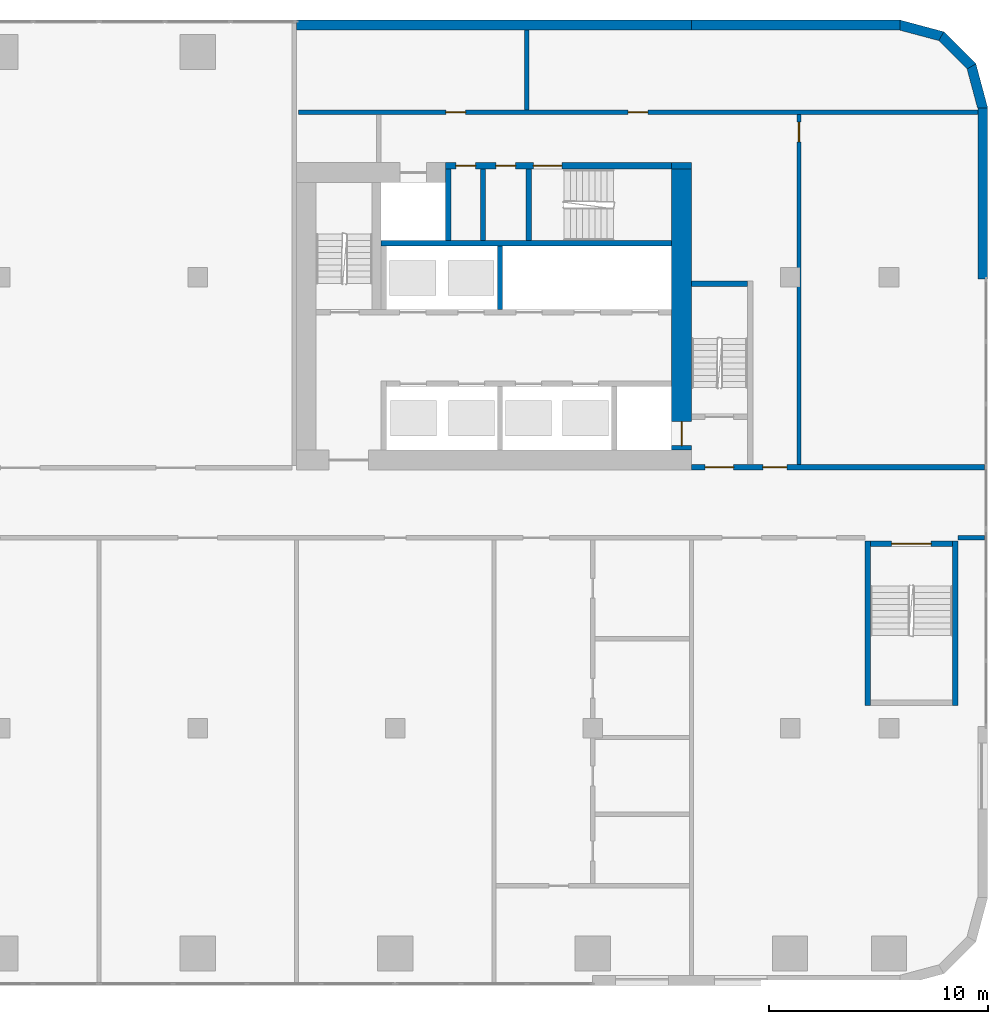
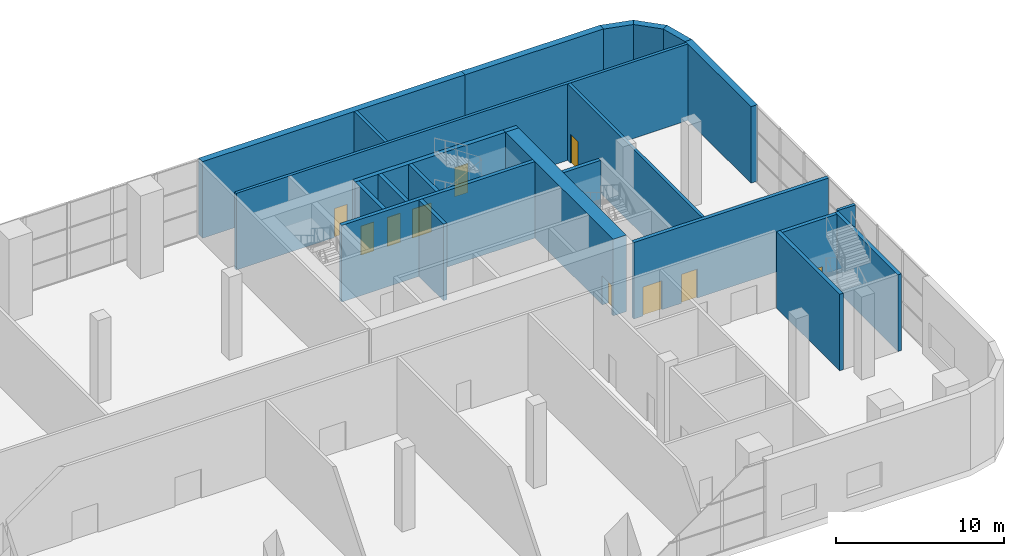
# One storey, part 16 of 27: 23 walls, 10 doors, 10 openings.
"""IFC4 building model written with IfcOpenShell, lengths in metres."""

from ifc_helpers import new_model, si_unit, direction, frame, frame_2d, origin, place, context, subcontext, project, spatial, polyline, rectangle, outline, extrude, material, layer, layer_set, type_object, element, fill, save


model = new_model("IFC4")

# Units and contexts
model_context = context("Model", 3, precision=1e-05, world=origin(), true_north=direction((0.0, 1.0)))
body_context = subcontext(model_context, "Body", "Model", "MODEL_VIEW")
ifc_project = project(units=[si_unit("LENGTHUNIT", "METRE"), si_unit("AREAUNIT", "SQUARE_METRE"), si_unit("VOLUMEUNIT", "CUBIC_METRE"), si_unit("PLANEANGLEUNIT", "RADIAN"), si_unit("MASSUNIT", "GRAM", prefix="KILO")], contexts=[model_context])

# Site, building, storey
site_placement = place(None, origin())
site = spatial("IfcSite", under=ifc_project, at=site_placement, CompositionType="ELEMENT")
building_placement = place(site_placement, origin())
building = spatial("IfcBuilding", under=site, at=building_placement, Name="Kajstack Hotel Tower", CompositionType="ELEMENT")
storey_placement = place(building_placement, frame((0.0, 0.0, 11.0)))
storey = spatial("IfcBuildingStorey", under=building, at=storey_placement, Name="L01", CompositionType="ELEMENT", Elevation=11.0)

# Wall
ifc_material_1 = material(Name="Concrete C60/75", Category="concrete")
ifc_layer_1 = layer(ifc_material_1, 0.89990234375)
ifc_layer_set_1 = layer_set([ifc_layer_1], Name="Core wall 900")
wall_type_1 = type_object("IfcWallType", Name="Core wall 900", PredefinedType="SHEAR", material=ifc_layer_set_1)
wall_1_placement = place(storey_placement, frame((30.60009765625, 15.35009765625, 0.0), z_axis=(0.0, 0.0, 1.0), x_axis=(1.0, 0.0, 0.0)))
element("IfcWall", 1, at=wall_1_placement, inside=storey, type_object=wall_type_1, Name="Core wall E RSW", PredefinedType="SHEAR", context=body_context, shape_type="SweptSolid", body=[
    extrude(rectangle(XDim=0.89990234375, YDim=0.300048828125, at=frame_2d((0.449951171875, 0.0))), origin(), (0.0, 0.0, 1.0), 5.550048828125),
])

# Wall, opening, door
wall_2_placement = place(storey_placement, frame((31.050048828125, 2.39990234375, 0.0), z_axis=(0.0, 0.0, 1.0), x_axis=(0.0, 1.0, 0.0)))
wall_2 = element("IfcWall", 2, at=wall_2_placement, inside=storey, type_object=wall_type_1, Name="Core wall E RW", PredefinedType="SHEAR", context=body_context, shape_type="SweptSolid", body=[
    extrude(rectangle(XDim=12.800048828125, YDim=0.89990234375, at=frame_2d((6.39990234375, 0.0))), origin(), (0.0, 0.0, 1.0), 5.550048828125),
])
opening_1_placement = place(wall_2_placement, frame((0.199951171875, 0.0, 0.0)))
opening_1 = element("IfcOpeningElement", 3, at=opening_1_placement, cuts=wall_2, Name="Opening LD-FF2", PredefinedType="OPENING", context=body_context, shape_type="SweptSolid", body=[
    extrude(rectangle(XDim=1.10009765625, YDim=2.10009765625, at=frame_2d((0.550048828125, 1.050048828125))), frame((0.0, 0.4599609375, 0.0), z_axis=(0.0, -1.0, 0.0), x_axis=(1.0, 0.0, 0.0)), (0.0, 0.0, 1.0), 0.919921875),
])
ifc_material_2 = material(Name="Stainless steel", Category="steel")
door_type_1 = type_object("IfcDoorType", Name="Fire-fighting lift landing door 1100", OperationType="SLIDING_TO_LEFT", PredefinedType="DOOR", material=ifc_material_2)
door_1_placement = place(opening_1_placement, origin())
door_1 = element("IfcDoor", 4, at=door_1_placement, inside=storey, type_object=door_type_1, Name="Landing door FF2", OperationType="SLIDING_TO_LEFT", OverallHeight=2.10009765625, OverallWidth=1.10009765625, PredefinedType="DOOR", context=body_context, shape_type="SweptSolid", body=[
    extrude(rectangle(XDim=1.10009765625, YDim=2.10009765625, at=frame_2d((0.550048828125, 1.050048828125))), frame((0.0, 0.02490234375, 0.0), z_axis=(0.0, -1.0, 0.0), x_axis=(1.0, 0.0, 0.0)), (0.0, 0.0, 1.0), 0.050048828125),
])
fill(opening_1, door_1)

# Walls
ifc_material_3 = material(Name="Concrete C40/50", Category="concrete")
ifc_layer_2 = layer(ifc_material_3, 0.449951171875)
ifc_layer_set_2 = layer_set([ifc_layer_2], Name="EW-CORE")
wall_type_2 = type_object("IfcWallType", Name="EW-CORE", PredefinedType="SOLIDWALL", material=ifc_layer_set_2)
wall_3_placement = place(storey_placement, frame((31.5, 21.77490234375, 0.0), z_axis=(0.0, 0.0, 1.0), x_axis=(-1.0, 0.0, 0.0)))
element("IfcWall", 5, at=wall_3_placement, inside=storey, type_object=wall_type_2, Name="E-wall-L01-11-01", PredefinedType="SOLIDWALL", context=body_context, shape_type="SweptSolid", body=[
    extrude(rectangle(XDim=18.0, YDim=0.449951171875, at=frame_2d((9.0, 0.0))), origin(), (0.0, 0.0, 1.0), 5.550048828125),
])
ifc_material_4 = material(Name="Terracotta-faced brick masonry", Category="masonry")
ifc_layer_3 = layer(ifc_material_4, 0.449951171875)
ifc_layer_set_3 = layer_set([ifc_layer_3], Name="EW-TERRA")
wall_type_3 = type_object("IfcWallType", Name="EW-TERRA", PredefinedType="SOLIDWALL", material=ifc_layer_set_3)
wall_4_placement = place(storey_placement, frame((44.77490234375, 10.199951171875, 0.0), z_axis=(0.0, 0.0, 1.0), x_axis=(0.0, 1.0, 0.0)))
element("IfcWall", 6, at=wall_4_placement, inside=storey, type_object=wall_type_3, Name="E-wall-L01-07-02", PredefinedType="SOLIDWALL", context=body_context, shape_type="SweptSolid", body=[
    extrude(rectangle(XDim=7.800048828125, YDim=0.449951171875, at=frame_2d((3.89990234375, 0.0))), origin(), (0.0, 0.0, 1.0), 5.550048828125),
])
wall_5_placement = place(storey_placement, frame((44.78271484375, 17.941650390625, 0.0), z_axis=(0.0, 0.0, 1.0), x_axis=(-0.25881466832, 0.965926999034, 0.0)))
element("IfcWall", 7, at=wall_5_placement, inside=storey, type_object=wall_type_3, Name="E-wall-L01-08-00", PredefinedType="SOLIDWALL", context=body_context, shape_type="SweptSolid", body=[
    extrude(outline(polyline([(0.000244140625, -0.22509765625), (2.070556640625, -0.224853515625), (1.9501953125, 0.22509765625), (0.12060546875, 0.22509765625), (0.000244140625, -0.22509765625)])), origin(), (0.0, 0.0, 1.0), 5.550048828125),
])
wall_6_placement = place(storey_placement, frame((44.304931640625, 19.8408203125, 0.0), z_axis=(0.0, 0.0, 1.0), x_axis=(-0.707106781187, 0.707106781187, 0.0)))
element("IfcWall", 8, at=wall_6_placement, inside=storey, type_object=wall_type_3, Name="E-wall-L01-09-00", PredefinedType="SOLIDWALL", context=body_context, shape_type="SweptSolid", body=[
    extrude(outline(polyline([(0.0, -0.22509765625), (2.070556640625, -0.22509765625), (1.949951171875, 0.224853515625), (0.12060546875, 0.224853515625), (0.0, -0.22509765625)])), origin(), (0.0, 0.0, 1.0), 5.550048828125),
])
wall_7_placement = place(storey_placement, frame((42.941650390625, 21.246826171875, 0.0), z_axis=(0.0, 0.0, 1.0), x_axis=(-0.965926999034, 0.25881466832, 0.0)))
element("IfcWall", 9, at=wall_7_placement, inside=storey, type_object=wall_type_3, Name="E-wall-L01-10-00", PredefinedType="SOLIDWALL", context=body_context, shape_type="SweptSolid", body=[
    extrude(outline(polyline([(-0.000244140625, -0.224853515625), (2.0703125, -0.22509765625), (1.949951171875, 0.22509765625), (0.120361328125, 0.22509765625), (-0.000244140625, -0.224853515625)])), origin(), (0.0, 0.0, 1.0), 5.550048828125),
])
wall_8_placement = place(storey_placement, frame((41.0, 21.77490234375, 0.0), z_axis=(0.0, 0.0, 1.0), x_axis=(-1.0, 0.0, 0.0)))
element("IfcWall", 10, at=wall_8_placement, inside=storey, type_object=wall_type_3, Name="E-wall-L01-11-00", PredefinedType="SOLIDWALL", context=body_context, shape_type="SweptSolid", body=[
    extrude(rectangle(XDim=9.5, YDim=0.449951171875, at=frame_2d((4.75, 0.0))), origin(), (0.0, 0.0, 1.0), 5.550048828125),
])
ifc_material_5 = material(Name="Concrete C50/60", Category="concrete")
ifc_layer_4 = layer(ifc_material_5, 0.300048828125)
ifc_layer_set_4 = layer_set([ifc_layer_4], Name="Hoistway divider wall 300")
wall_type_4 = type_object("IfcWallType", Name="Hoistway divider wall 300", PredefinedType="SHEAR", material=ifc_layer_set_4)
wall_9_placement = place(storey_placement, frame((22.77490234375, 8.800048828125, 0.0), z_axis=(0.0, 0.0, 1.0), x_axis=(0.0, 1.0, 0.0)))
element("IfcWall", 11, at=wall_9_placement, inside=storey, type_object=wall_type_4, Name="Core wall E BP2", PredefinedType="SHEAR", context=body_context, shape_type="SweptSolid", body=[
    extrude(rectangle(XDim=2.89990234375, YDim=0.25, at=frame_2d((1.449951171875, 0.0))), origin(), (0.0, 0.0, 1.0), 5.550048828125),
])
ifc_material_6 = material(Name="Gypsum board on steel studs, mineral wool", Category="steel")
ifc_layer_5 = layer(ifc_material_6, 0.199951171875)
ifc_layer_set_5 = layer_set([ifc_layer_5], Name="Public partition 200")
wall_type_5 = type_object("IfcWallType", Name="Public partition 200", PredefinedType="PARTITIONING", material=ifc_layer_set_5)
wall_10_placement = place(storey_placement, frame((43.64990234375, -1.60009765625, 0.0), z_axis=(0.0, 0.0, 1.0), x_axis=(1.0, 0.0, 0.0)))
element("IfcWall", 12, at=wall_10_placement, inside=storey, type_object=wall_type_5, Name="Partition SFWW", PredefinedType="PARTITIONING", context=body_context, shape_type="SweptSolid", body=[
    extrude(rectangle(XDim=1.2001953125, YDim=0.199951171875, at=frame_2d((0.60009765625, 0.0))), origin(), (0.0, 0.0, 1.0), 5.550048828125),
])
ifc_material_7 = material(Name="Concrete block masonry", Category="masonry")
ifc_layer_6 = layer(ifc_material_7, 0.25)
ifc_layer_set_6 = layer_set([ifc_layer_6], Name="Riser partition 250")
wall_type_6 = type_object("IfcWallType", Name="Riser partition 250", PredefinedType="PARTITIONING", material=ifc_layer_set_6)
wall_11_placement = place(storey_placement, frame((22.0, 11.949951171875, 0.0), z_axis=(0.0, 0.0, 1.0), x_axis=(0.0, 1.0, 0.0)))
element("IfcWall", 13, at=wall_11_placement, inside=storey, type_object=wall_type_6, Name="Partition E SZ0", PredefinedType="PARTITIONING", context=body_context, shape_type="SweptSolid", body=[
    extrude(rectangle(XDim=3.25, YDim=0.25, at=frame_2d((1.625, 0.0))), origin(), (0.0, 0.0, 1.0), 5.550048828125),
])

# Wall, openings, doors
ifc_layer_7 = layer(ifc_material_6, 0.199951171875)
ifc_layer_set_7 = layer_set([ifc_layer_7], Name="Service partition 200")
wall_type_7 = type_object("IfcWallType", Name="Service partition 200", PredefinedType="PARTITIONING", material=ifc_layer_set_7)
wall_12_placement = place(storey_placement, frame((31.5, 1.625, 0.0), z_axis=(0.0, 0.0, 1.0), x_axis=(1.0, 0.0, 0.0)))
wall_12 = element("IfcWall", 14, at=wall_12_placement, inside=storey, type_object=wall_type_7, Name="Partition E SN", PredefinedType="PARTITIONING", context=body_context, shape_type="SweptSolid", body=[
    extrude(rectangle(XDim=13.35009765625, YDim=0.25, at=frame_2d((6.675048828125, 0.0))), origin(), (0.0, 0.0, 1.0), 5.550048828125),
])
opening_2_placement = place(wall_12_placement, frame((0.625, 0.0, 0.0)))
opening_2 = element("IfcOpeningElement", 15, at=opening_2_placement, cuts=wall_12, Name="Opening 01E13", PredefinedType="OPENING", context=body_context, shape_type="SweptSolid", body=[
    extrude(rectangle(XDim=1.300048828125, YDim=2.10009765625, at=frame_2d((0.64990234375, 1.050048828125))), frame((0.0, 0.135009765625, 0.0), z_axis=(0.0, -1.0, 0.0), x_axis=(1.0, 0.0, 0.0)), (0.0, 0.0, 1.0), 0.27001953125),
])
opening_3_placement = place(wall_12_placement, frame((3.25, 0.0, 0.0)))
opening_3 = element("IfcOpeningElement", 16, at=opening_3_placement, cuts=wall_12, Name="Opening 01E15", PredefinedType="OPENING", context=body_context, shape_type="SweptSolid", body=[
    extrude(rectangle(XDim=1.10009765625, YDim=2.10009765625, at=frame_2d((0.550048828125, 1.050048828125))), frame((0.0, 0.135009765625, 0.0), z_axis=(0.0, -1.0, 0.0), x_axis=(1.0, 0.0, 0.0)), (0.0, 0.0, 1.0), 0.27001953125),
])
ifc_material_8 = material(Name="Steel leaf, fire-rated", Category="steel")
door_type_2 = type_object("IfcDoorType", Name="Fire lobby door 1300", OperationType="SINGLE_SWING_LEFT", PredefinedType="DOOR", material=ifc_material_8)
door_2_placement = place(opening_2_placement, origin())
door_2 = element("IfcDoor", 17, at=door_2_placement, inside=storey, type_object=door_type_2, Name="Door 01E13", OperationType="SINGLE_SWING_LEFT", OverallHeight=2.10009765625, OverallWidth=1.300048828125, PredefinedType="DOOR", context=body_context, shape_type="SweptSolid", body=[
    extrude(rectangle(XDim=1.300048828125, YDim=2.10009765625, at=frame_2d((0.64990234375, 1.050048828125))), frame((0.0, 0.02490234375, 0.0), z_axis=(0.0, -1.0, 0.0), x_axis=(1.0, 0.0, 0.0)), (0.0, 0.0, 1.0), 0.050048828125),
])
fill(opening_2, door_2)
ifc_material_9 = material(Name="Timber leaf, fire-rated", Category="wood")
door_type_3 = type_object("IfcDoorType", Name="Service corridor door 1100", OperationType="SINGLE_SWING_LEFT", PredefinedType="DOOR", material=ifc_material_9)
door_3_placement = place(opening_3_placement, origin())
door_3 = element("IfcDoor", 18, at=door_3_placement, inside=storey, type_object=door_type_3, Name="Door 01E15", OperationType="SINGLE_SWING_LEFT", OverallHeight=2.10009765625, OverallWidth=1.10009765625, PredefinedType="DOOR", context=body_context, shape_type="SweptSolid", body=[
    extrude(rectangle(XDim=1.10009765625, YDim=2.10009765625, at=frame_2d((0.550048828125, 1.050048828125))), frame((0.0, 0.02490234375, 0.0), z_axis=(0.0, -1.0, 0.0), x_axis=(1.0, 0.0, 0.0)), (0.0, 0.0, 1.0), 0.050048828125),
])
fill(opening_3, door_3)

# Wall, opening, door
wall_13_placement = place(storey_placement, frame((36.39990234375, 1.75, 0.0), z_axis=(0.0, 0.0, 1.0), x_axis=(0.0, 1.0, 0.0)))
wall_13 = element("IfcWall", 19, at=wall_13_placement, inside=storey, type_object=wall_type_7, Name="Partition E WRE", PredefinedType="PARTITIONING", context=body_context, shape_type="SweptSolid", body=[
    extrude(rectangle(XDim=15.949951171875, YDim=0.199951171875, at=frame_2d((7.97509765625, 0.0))), origin(), (0.0, 0.0, 1.0), 5.550048828125),
])
opening_4_placement = place(wall_13_placement, frame((14.699951171875, 0.0, 0.0)))
opening_4 = element("IfcOpeningElement", 20, at=opening_4_placement, cuts=wall_13, Name="Opening 01E22", PredefinedType="OPENING", context=body_context, shape_type="SweptSolid", body=[
    extrude(rectangle(XDim=0.89990234375, YDim=2.10009765625, at=frame_2d((0.449951171875, 1.050048828125))), frame((0.0, 0.10986328125, 0.0), z_axis=(0.0, -1.0, 0.0), x_axis=(1.0, 0.0, 0.0)), (0.0, 0.0, 1.0), 0.219970703125),
])
door_type_4 = type_object("IfcDoorType", Name="Service door 900", OperationType="SINGLE_SWING_LEFT", PredefinedType="DOOR", material=ifc_material_9)
door_4_placement = place(opening_4_placement, origin())
door_4 = element("IfcDoor", 21, at=door_4_placement, inside=storey, type_object=door_type_4, Name="Door 01E22", OperationType="SINGLE_SWING_RIGHT", OverallHeight=2.10009765625, OverallWidth=0.89990234375, PredefinedType="DOOR", context=body_context, shape_type="SweptSolid", body=[
    extrude(rectangle(XDim=0.89990234375, YDim=2.10009765625, at=frame_2d((0.449951171875, 1.050048828125))), frame((0.0, 0.02490234375, 0.0), z_axis=(0.0, -1.0, 0.0), x_axis=(1.0, 0.0, 0.0)), (0.0, 0.0, 1.0), 0.050048828125),
])
fill(opening_4, door_4)

# Wall, openings, doors
wall_14_placement = place(storey_placement, frame((13.60009765625, 17.800048828125, 0.0), z_axis=(0.0, 0.0, 1.0), x_axis=(1.0, 0.0, 0.0)))
wall_14 = element("IfcWall", 22, at=wall_14_placement, inside=storey, type_object=wall_type_7, Name="Partition E SLN", PredefinedType="PARTITIONING", context=body_context, shape_type="SweptSolid", body=[
    extrude(rectangle(XDim=30.949951171875, YDim=0.199951171875, at=frame_2d((15.47509765625, 0.0))), origin(), (0.0, 0.0, 1.0), 5.550048828125),
])
opening_5_placement = place(wall_14_placement, frame((15.012451171875, 0.0, 0.0)))
opening_5 = element("IfcOpeningElement", 23, at=opening_5_placement, cuts=wall_14, Name="Opening 01E20", PredefinedType="OPENING", context=body_context, shape_type="SweptSolid", body=[
    extrude(rectangle(XDim=0.89990234375, YDim=2.10009765625, at=frame_2d((0.449951171875, 1.050048828125))), frame((0.0, 0.10986328125, 0.0), z_axis=(0.0, -1.0, 0.0), x_axis=(1.0, 0.0, 0.0)), (0.0, 0.0, 1.0), 0.219970703125),
])
opening_6_placement = place(wall_14_placement, frame((6.71240234375, 0.0, 0.0)))
opening_6 = element("IfcOpeningElement", 24, at=opening_6_placement, cuts=wall_14, Name="Opening 01E21", PredefinedType="OPENING", context=body_context, shape_type="SweptSolid", body=[
    extrude(rectangle(XDim=0.89990234375, YDim=2.10009765625, at=frame_2d((0.449951171875, 1.050048828125))), frame((0.0, 0.10986328125, 0.0), z_axis=(0.0, -1.0, 0.0), x_axis=(1.0, 0.0, 0.0)), (0.0, 0.0, 1.0), 0.219970703125),
])
door_5_placement = place(opening_5_placement, origin())
door_5 = element("IfcDoor", 25, at=door_5_placement, inside=storey, type_object=door_type_4, Name="Door 01E20", OperationType="SINGLE_SWING_LEFT", OverallHeight=2.10009765625, OverallWidth=0.89990234375, PredefinedType="DOOR", context=body_context, shape_type="SweptSolid", body=[
    extrude(rectangle(XDim=0.89990234375, YDim=2.10009765625, at=frame_2d((0.449951171875, 1.050048828125))), frame((0.0, 0.02490234375, 0.0), z_axis=(0.0, -1.0, 0.0), x_axis=(1.0, 0.0, 0.0)), (0.0, 0.0, 1.0), 0.050048828125),
])
fill(opening_5, door_5)
door_6_placement = place(opening_6_placement, origin())
door_6 = element("IfcDoor", 26, at=door_6_placement, inside=storey, type_object=door_type_4, Name="Door 01E21", OperationType="SINGLE_SWING_LEFT", OverallHeight=2.10009765625, OverallWidth=0.89990234375, PredefinedType="DOOR", context=body_context, shape_type="SweptSolid", body=[
    extrude(rectangle(XDim=0.89990234375, YDim=2.10009765625, at=frame_2d((0.449951171875, 1.050048828125))), frame((0.0, 0.02490234375, 0.0), z_axis=(0.0, -1.0, 0.0), x_axis=(1.0, 0.0, 0.0)), (0.0, 0.0, 1.0), 0.050048828125),
])
fill(opening_6, door_6)

# Wall
wall_15_placement = place(storey_placement, frame((24.0, 17.89990234375, 0.0), z_axis=(0.0, 0.0, 1.0), x_axis=(0.0, 1.0, 0.0)))
element("IfcWall", 27, at=wall_15_placement, inside=storey, type_object=wall_type_7, Name="Partition E SLP0", PredefinedType="PARTITIONING", context=body_context, shape_type="SweptSolid", body=[
    extrude(rectangle(XDim=3.650146484375, YDim=0.199951171875, at=frame_2d((1.8251953125, 0.0))), origin(), (0.0, 0.0, 1.0), 5.550048828125),
])

# Wall, openings, doors
ifc_layer_8 = layer(ifc_material_5, 0.25)
ifc_layer_set_8 = layer_set([ifc_layer_8], Name="Shaft wall 250")
wall_type_8 = type_object("IfcWallType", Name="Shaft wall 250", PredefinedType="SHEAR", material=ifc_layer_set_8)
wall_16_placement = place(storey_placement, frame((20.300048828125, 15.35009765625, 0.0), z_axis=(0.0, 0.0, 1.0), x_axis=(1.0, 0.0, 0.0)))
wall_16 = element("IfcWall", 28, at=wall_16_placement, inside=storey, type_object=wall_type_8, Name="Core wall E RSS", PredefinedType="SHEAR", context=body_context, shape_type="SweptSolid", body=[
    extrude(rectangle(XDim=10.300048828125, YDim=0.300048828125, at=frame_2d((5.14990234375, 0.0))), origin(), (0.0, 0.0, 1.0), 5.550048828125),
])
opening_7_placement = place(wall_16_placement, frame((4.0, 0.0, 0.0)))
opening_7 = element("IfcOpeningElement", 29, at=opening_7_placement, cuts=wall_16, Name="Opening 01E17", PredefinedType="OPENING", context=body_context, shape_type="SweptSolid", body=[
    extrude(rectangle(XDim=1.300048828125, YDim=2.10009765625, at=frame_2d((0.64990234375, 1.050048828125))), frame((0.0, 0.159912109375, 0.0), z_axis=(0.0, -1.0, 0.0), x_axis=(1.0, 0.0, 0.0)), (0.0, 0.0, 1.0), 0.320068359375),
])
opening_8_placement = place(wall_16_placement, frame((2.28759765625, 0.0, 0.0)))
opening_8 = element("IfcOpeningElement", 30, at=opening_8_placement, cuts=wall_16, Name="Opening 01E18", PredefinedType="OPENING", context=body_context, shape_type="SweptSolid", body=[
    extrude(rectangle(XDim=0.89990234375, YDim=2.10009765625, at=frame_2d((0.449951171875, 1.050048828125))), frame((0.0, 0.159912109375, 0.0), z_axis=(0.0, -1.0, 0.0), x_axis=(1.0, 0.0, 0.0)), (0.0, 0.0, 1.0), 0.320068359375),
])
opening_9_placement = place(wall_16_placement, frame((0.46240234375, 0.0, 0.0)))
opening_9 = element("IfcOpeningElement", 31, at=opening_9_placement, cuts=wall_16, Name="Opening 01E19", PredefinedType="OPENING", context=body_context, shape_type="SweptSolid", body=[
    extrude(rectangle(XDim=0.89990234375, YDim=2.10009765625, at=frame_2d((0.449951171875, 1.050048828125))), frame((0.0, 0.159912109375, 0.0), z_axis=(0.0, -1.0, 0.0), x_axis=(1.0, 0.0, 0.0)), (0.0, 0.0, 1.0), 0.320068359375),
])
door_7_placement = place(opening_8_placement, origin())
door_7 = element("IfcDoor", 32, at=door_7_placement, inside=storey, type_object=door_type_4, Name="Door 01E18", OperationType="SINGLE_SWING_RIGHT", OverallHeight=2.10009765625, OverallWidth=0.89990234375, PredefinedType="DOOR", context=body_context, shape_type="SweptSolid", body=[
    extrude(rectangle(XDim=0.89990234375, YDim=2.10009765625, at=frame_2d((0.449951171875, 1.050048828125))), frame((0.0, 0.02490234375, 0.0), z_axis=(0.0, -1.0, 0.0), x_axis=(1.0, 0.0, 0.0)), (0.0, 0.0, 1.0), 0.050048828125),
])
fill(opening_8, door_7)
door_8_placement = place(opening_9_placement, origin())
door_8 = element("IfcDoor", 33, at=door_8_placement, inside=storey, type_object=door_type_4, Name="Door 01E19", OperationType="SINGLE_SWING_RIGHT", OverallHeight=2.10009765625, OverallWidth=0.89990234375, PredefinedType="DOOR", context=body_context, shape_type="SweptSolid", body=[
    extrude(rectangle(XDim=0.89990234375, YDim=2.10009765625, at=frame_2d((0.449951171875, 1.050048828125))), frame((0.0, 0.02490234375, 0.0), z_axis=(0.0, -1.0, 0.0), x_axis=(1.0, 0.0, 0.0)), (0.0, 0.0, 1.0), 0.050048828125),
])
fill(opening_9, door_8)
door_type_5 = type_object("IfcDoorType", Name="Stair door 1300", OperationType="SINGLE_SWING_LEFT", PredefinedType="DOOR", material=ifc_material_8)
door_9_placement = place(opening_7_placement, origin())
door_9 = element("IfcDoor", 34, at=door_9_placement, inside=storey, type_object=door_type_5, Name="Door 01E17", OperationType="SINGLE_SWING_LEFT", OverallHeight=2.10009765625, OverallWidth=1.300048828125, PredefinedType="DOOR", context=body_context, shape_type="SweptSolid", body=[
    extrude(rectangle(XDim=1.300048828125, YDim=2.10009765625, at=frame_2d((0.64990234375, 1.050048828125))), frame((0.0, 0.02490234375, 0.0), z_axis=(0.0, -1.0, 0.0), x_axis=(1.0, 0.0, 0.0)), (0.0, 0.0, 1.0), 0.050048828125),
])
fill(opening_7, door_9)

# Walls
wall_17_placement = place(storey_placement, frame((17.35009765625, 11.824951171875, 0.0), z_axis=(0.0, 0.0, 1.0), x_axis=(1.0, 0.0, 0.0)))
element("IfcWall", 35, at=wall_17_placement, inside=storey, type_object=wall_type_8, Name="Core wall E RB", PredefinedType="SHEAR", context=body_context, shape_type="SweptSolid", body=[
    extrude(rectangle(XDim=13.25, YDim=0.25, at=frame_2d((6.625, 0.0))), origin(), (0.0, 0.0, 1.0), 5.550048828125),
])
wall_18_placement = place(storey_placement, frame((20.425048828125, 11.949951171875, 0.0), z_axis=(0.0, 0.0, 1.0), x_axis=(0.0, 1.0, 0.0)))
element("IfcWall", 36, at=wall_18_placement, inside=storey, type_object=wall_type_8, Name="Core wall E SVW", PredefinedType="SHEAR", context=body_context, shape_type="SweptSolid", body=[
    extrude(rectangle(XDim=3.25, YDim=0.25, at=frame_2d((1.625, 0.0))), origin(), (0.0, 0.0, 1.0), 5.550048828125),
])
ifc_layer_9 = layer(ifc_material_3, 0.25)
ifc_layer_set_9 = layer_set([ifc_layer_9], Name="Stair enclosure wall 250")
wall_type_9 = type_object("IfcWallType", Name="Stair enclosure wall 250", PredefinedType="SHEAR", material=ifc_layer_set_9)
wall_19_placement = place(storey_placement, frame((31.5, 9.97509765625, 0.0), z_axis=(0.0, 0.0, 1.0), x_axis=(1.0, 0.0, 0.0)))
element("IfcWall", 37, at=wall_19_placement, inside=storey, type_object=wall_type_9, Name="Core wall E W1S", PredefinedType="SHEAR", context=body_context, shape_type="SweptSolid", body=[
    extrude(rectangle(XDim=2.550048828125, YDim=0.25, at=frame_2d((1.27490234375, 0.0))), origin(), (0.0, 0.0, 1.0), 5.550048828125),
])
for number, where, z_axis, x_axis, name in (
    (38, (39.52490234375, -9.25, 0.0), (0.0, 0.0, 1.0), (0.0, 1.0, 0.0), "Stair wall P2 W"),
    (39, (43.52490234375, -9.25, 0.0), (0.0, 0.0, 1.0), (0.0, 1.0, 0.0), "Stair wall P2 E"),
):
    element("IfcWall", number, at=place(storey_placement, frame(where, z_axis=z_axis, x_axis=x_axis)), inside=storey, type_object=wall_type_9, Name=name, PredefinedType="SHEAR", context=body_context, shape_type="SweptSolid", body=[
        extrude(rectangle(XDim=7.5, YDim=0.25, at=frame_2d((3.75, 0.0))), origin(), (0.0, 0.0, 1.0), 5.550048828125),
    ])

# Wall, opening, door
wall_20_placement = place(storey_placement, frame((39.64990234375, -1.875, 0.0), z_axis=(0.0, 0.0, 1.0), x_axis=(1.0, 0.0, 0.0)))
wall_20 = element("IfcWall", 40, at=wall_20_placement, inside=storey, type_object=wall_type_9, Name="Stair wall P2 N", PredefinedType="SHEAR", context=body_context, shape_type="SweptSolid", body=[
    extrude(rectangle(XDim=3.75, YDim=0.25, at=frame_2d((1.875, 0.0))), origin(), (0.0, 0.0, 1.0), 5.550048828125),
])
opening_10_placement = place(wall_20_placement, frame((0.97509765625, 0.0, 0.0)))
opening_10 = element("IfcOpeningElement", 41, at=opening_10_placement, cuts=wall_20, Name="Opening 01P2", PredefinedType="OPENING", context=body_context, shape_type="SweptSolid", body=[
    extrude(rectangle(XDim=1.800048828125, YDim=2.10009765625, at=frame_2d((0.89990234375, 1.050048828125))), frame((0.0, 0.135009765625, 0.0), z_axis=(0.0, -1.0, 0.0), x_axis=(1.0, 0.0, 0.0)), (0.0, 0.0, 1.0), 0.27001953125),
])
door_type_6 = type_object("IfcDoorType", Name="Stair door 1800", OperationType="DOUBLE_DOOR_DOUBLE_SWING", PredefinedType="DOOR", material=ifc_material_8)
door_10_placement = place(opening_10_placement, origin())
door_10 = element("IfcDoor", 42, at=door_10_placement, inside=storey, type_object=door_type_6, Name="Door 01P2", OperationType="DOUBLE_DOOR_DOUBLE_SWING", OverallHeight=2.10009765625, OverallWidth=1.800048828125, PredefinedType="DOOR", context=body_context, shape_type="SweptSolid", body=[
    extrude(rectangle(XDim=1.800048828125, YDim=2.10009765625, at=frame_2d((0.89990234375, 1.050048828125))), frame((0.0, 0.02490234375, 0.0), z_axis=(0.0, -1.0, 0.0), x_axis=(1.0, 0.0, 0.0)), (0.0, 0.0, 1.0), 0.050048828125),
])
fill(opening_10, door_10)

# Wall
ifc_layer_10 = layer(ifc_material_5, 0.35009765625)
ifc_layer_set_10 = layer_set([ifc_layer_10], Name="Stair enclosure wall 350")
wall_type_10 = type_object("IfcWallType", Name="Stair enclosure wall 350", PredefinedType="SHEAR", material=ifc_layer_set_10)
wall_21_placement = place(storey_placement, frame((24.074951171875, 11.949951171875, 0.0), z_axis=(0.0, 0.0, 1.0), x_axis=(0.0, 1.0, 0.0)))
element("IfcWall", 43, at=wall_21_placement, inside=storey, type_object=wall_type_10, Name="Core wall E W3E", PredefinedType="SHEAR", context=body_context, shape_type="SweptSolid", body=[
    extrude(rectangle(XDim=3.25, YDim=0.25, at=frame_2d((1.625, 0.0))), origin(), (0.0, 0.0, 1.0), 5.550048828125),
])

save(model, "model.ifc")
